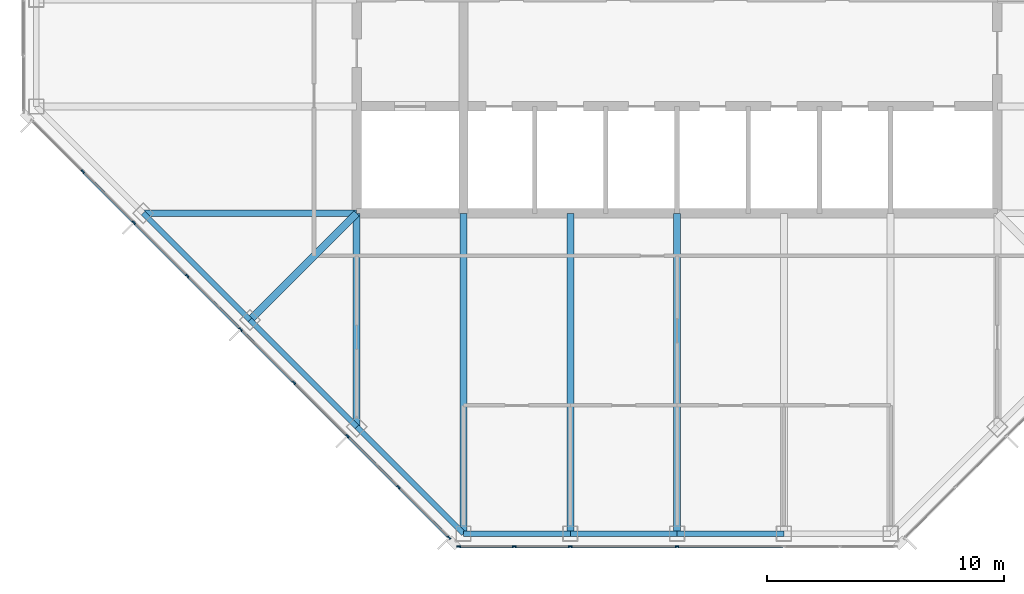
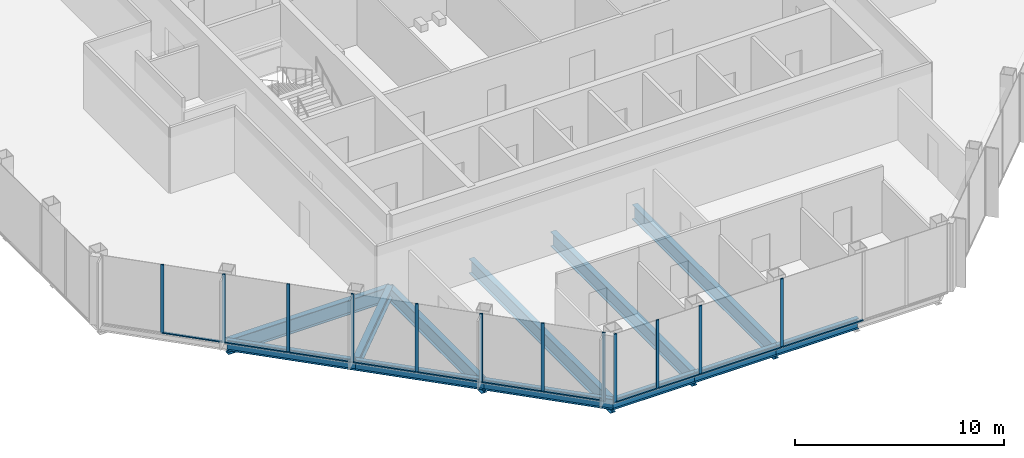
# One storey, part 2 of 14: 23 members, 12 beams, 2 elements without a shape of their own.
"""IFC4 building model written with IfcOpenShell, lengths in metres."""

from ifc_helpers import new_model, si_unit, direction, frame, origin, origin_2d, place, context, subcontext, project, spatial, rectangle, i_section, extrude, material, material_profile, profile_set, type_object, element, aggregate, save


model = new_model("IFC4")

# Units and contexts
model_context = context("Model", 3, precision=1e-05, world=origin(), true_north=direction((0.0, 1.0)))
body_context = subcontext(model_context, "Body", "Model", "MODEL_VIEW")
ifc_project = project(units=[si_unit("LENGTHUNIT", "METRE"), si_unit("AREAUNIT", "SQUARE_METRE"), si_unit("VOLUMEUNIT", "CUBIC_METRE"), si_unit("PLANEANGLEUNIT", "RADIAN"), si_unit("MASSUNIT", "GRAM", prefix="KILO")], contexts=[model_context])

# Site, building, storey
site_placement = place(None, origin())
site = spatial("IfcSite", under=ifc_project, at=site_placement, CompositionType="ELEMENT")
building_placement = place(site_placement, origin())
building = spatial("IfcBuilding", under=site, at=building_placement, Name="Corais Broadcast Tower", CompositionType="ELEMENT")
storey_placement = place(building_placement, frame((0.0, 0.0, 250.60009765625)))
storey = spatial("IfcBuildingStorey", under=building, at=storey_placement, Name="L58", CompositionType="ELEMENT", Elevation=250.60009765625)

# Beams
ifc_material_1 = material(Name="Steel ASTM A572 Grade 50", Category="steel")
ifc_material_profile_1 = material_profile(ifc_material_1, i_section(OverallWidth=0.323974609375, OverallDepth=0.611083984375, WebThickness=0.0126953125, FlangeThickness=0.01904296875, at=origin_2d()), Name="W610x155")
ifc_profile_set_1 = profile_set([ifc_material_profile_1], Name="Steel ASTM A572 Grade 50")
beam_type_1 = type_object("IfcBeamType", Name="Corner diagonal W610x155", PredefinedType="BEAM", material=ifc_profile_set_1)
beam_1_placement = place(storey_placement, frame((9.0, 9.0, -0.465576171875), z_axis=(0.707106781187, 0.707106781187, 0.0), x_axis=(-0.707106781187, 0.707106781187, 0.0)))
element("IfcBeam", 1, at=beam_1_placement, inside=storey, type_object=beam_type_1, Name="B6 C/5 to D/6", PredefinedType="BEAM", context=body_context, shape_type="SweptSolid", body=[
    extrude(i_section(OverallWidth=0.323974609375, OverallDepth=0.611083984375, WebThickness=0.0126953125, FlangeThickness=0.01904296875, at=origin_2d()), origin(), (0.0, 0.0, 1.0), 6.364013671875),
])
ifc_material_2 = material(Name="Steel ASTM A572 Grade 50", Category="steel")
ifc_material_profile_2 = material_profile(ifc_material_2, i_section(OverallWidth=0.2939453125, OverallDepth=0.85107421875, WebThickness=0.01611328125, FlangeThickness=0.02685546875, at=origin_2d()), Name="W840x226")
ifc_profile_set_2 = profile_set([ifc_material_profile_2], Name="Steel ASTM A572 Grade 50")
beam_type_2 = type_object("IfcBeamType", Name="Floor beam W840x226", PredefinedType="BEAM", material=ifc_profile_set_2)
beam_2_placement = place(storey_placement, frame((13.5, 4.5, -0.585693359375), z_axis=(0.0, 1.0, 0.0), x_axis=(-1.0, 0.0, 0.0)))
element("IfcBeam", 2, at=beam_2_placement, inside=storey, type_object=beam_type_2, Name="B1 B/6 to D/6", PredefinedType="BEAM", context=body_context, shape_type="SweptSolid", body=[
    extrude(i_section(OverallWidth=0.2939453125, OverallDepth=0.85107421875, WebThickness=0.01611328125, FlangeThickness=0.02685546875, at=origin_2d()), origin(), (0.0, 0.0, 1.0), 9.0),
])
for number, where, z_axis, x_axis, name in (
    (3, (18.0, 0.0, -0.585693359375), (0.0, 1.0, 0.0), (-1.0, 0.0, 0.0), "B1 A/7 to D/7"),
    (4, (22.5, 0.0, -0.585693359375), (0.0, 1.0, 0.0), (-1.0, 0.0, 0.0), "B1 A/8 to D/8"),
    (5, (27.0, 0.0, -0.585693359375), (0.0, 1.0, 0.0), (-1.0, 0.0, 0.0), "B1 A/9 to D/9"),
):
    element("IfcBeam", number, at=place(storey_placement, frame(where, z_axis=z_axis, x_axis=x_axis)), inside=storey, type_object=beam_type_2, Name=name, PredefinedType="BEAM", context=body_context, shape_type="SweptSolid", body=[
        extrude(i_section(OverallWidth=0.2939453125, OverallDepth=0.85107421875, WebThickness=0.01611328125, FlangeThickness=0.02685546875, at=origin_2d()), origin(), (0.0, 0.0, 1.0), 13.5),
    ])
beam_3_placement = place(storey_placement, frame((4.5, 13.5, -0.585693359375), z_axis=(1.0, 0.0, 0.0), x_axis=(0.0, 1.0, 0.0)))
element("IfcBeam", 6, at=beam_3_placement, inside=storey, type_object=beam_type_2, Name="B1 D/4 to D/6", PredefinedType="BEAM", context=body_context, shape_type="SweptSolid", body=[
    extrude(i_section(OverallWidth=0.2939453125, OverallDepth=0.85107421875, WebThickness=0.01611328125, FlangeThickness=0.02685546875, at=origin_2d()), origin(), (0.0, 0.0, 1.0), 9.0),
])

# Curtain wall, members
ifc_material_3 = material(Name="Aluminium and glass", Category="aluminium")
curtain_wall_type = type_object("IfcCurtainWallType", Name="Unitised fritted curtain wall CW3", PredefinedType="NOTDEFINED", material=ifc_material_3)
curtain_wall_1_placement = place(storey_placement, origin())
curtain_wall_1 = element("IfcCurtainWall", 7, at=curtain_wall_1_placement, inside=storey, type_object=curtain_wall_type, Name="CW3 curtain wall L58 1", PredefinedType="NOTDEFINED")
ifc_material_4 = material(Name="Aluminium 6063-T6", Category="aluminium")
ifc_material_profile_3 = material_profile(ifc_material_4, rectangle(XDim=0.06494140625, YDim=0.159912109375, at=origin_2d()), Name="Mullion CW3 65x160")
ifc_profile_set_3 = profile_set([ifc_material_profile_3], Name="Aluminium 6063-T6")
member_type_1 = type_object("IfcMemberType", Name="Mullion CW3 65x160", PredefinedType="MULLION", material=ifc_profile_set_3)
member_1_placement = place(storey_placement, frame((17.3955078125, -0.17333984375, 0.0), z_axis=(0.0, 0.0, 1.0), x_axis=(-0.707106781187, -0.707106781187, 0.0)))
member_1 = element("IfcMember", 8, at=member_1_placement, type_object=member_type_1, Name="CW3 mullion 1", PredefinedType="MULLION", context=body_context, shape_type="SweptSolid", body=[
    extrude(rectangle(XDim=0.06494140625, YDim=0.159912109375, at=origin_2d()), origin(), (0.0, 0.0, 1.0), 4.0),
])
member_2_placement = place(storey_placement, frame((15.264892578125, 1.957275390625, 0.0), z_axis=(0.0, 0.0, 1.0), x_axis=(-0.707106781187, -0.707106781187, 0.0)))
member_2 = element("IfcMember", 9, at=member_2_placement, type_object=member_type_1, Name="CW3 mullion 2", PredefinedType="MULLION", context=body_context, shape_type="SweptSolid", body=[
    extrude(rectangle(XDim=0.06494140625, YDim=0.159912109375, at=origin_2d()), origin(), (0.0, 0.0, 1.0), 4.0),
])
member_3_placement = place(storey_placement, frame((13.111083984375, 4.111083984375, 0.0), z_axis=(0.0, 0.0, 1.0), x_axis=(-0.707106781187, -0.707106781187, 0.0)))
member_3 = element("IfcMember", 10, at=member_3_placement, type_object=member_type_1, Name="CW3 mullion 3", PredefinedType="MULLION", context=body_context, shape_type="SweptSolid", body=[
    extrude(rectangle(XDim=0.06494140625, YDim=0.159912109375, at=origin_2d()), origin(), (0.0, 0.0, 1.0), 4.0),
])
member_4_placement = place(storey_placement, frame((10.861083984375, 6.361083984375, 0.0), z_axis=(0.0, 0.0, 1.0), x_axis=(-0.707106781187, -0.707106781187, 0.0)))
member_4 = element("IfcMember", 11, at=member_4_placement, type_object=member_type_1, Name="CW3 mullion 4", PredefinedType="MULLION", context=body_context, shape_type="SweptSolid", body=[
    extrude(rectangle(XDim=0.06494140625, YDim=0.159912109375, at=origin_2d()), origin(), (0.0, 0.0, 1.0), 4.0),
])
member_5_placement = place(storey_placement, frame((8.611083984375, 8.611083984375, 0.0), z_axis=(0.0, 0.0, 1.0), x_axis=(-0.707106781187, -0.707106781187, 0.0)))
member_5 = element("IfcMember", 12, at=member_5_placement, type_object=member_type_1, Name="CW3 mullion 5", PredefinedType="MULLION", context=body_context, shape_type="SweptSolid", body=[
    extrude(rectangle(XDim=0.06494140625, YDim=0.159912109375, at=origin_2d()), origin(), (0.0, 0.0, 1.0), 4.0),
])
member_6_placement = place(storey_placement, frame((6.361083984375, 10.861083984375, 0.0), z_axis=(0.0, 0.0, 1.0), x_axis=(-0.707106781187, -0.707106781187, 0.0)))
member_6 = element("IfcMember", 13, at=member_6_placement, type_object=member_type_1, Name="CW3 mullion 6", PredefinedType="MULLION", context=body_context, shape_type="SweptSolid", body=[
    extrude(rectangle(XDim=0.06494140625, YDim=0.159912109375, at=origin_2d()), origin(), (0.0, 0.0, 1.0), 4.0),
])
member_7_placement = place(storey_placement, frame((4.111083984375, 13.111083984375, 0.0), z_axis=(0.0, 0.0, 1.0), x_axis=(-0.707106781187, -0.707106781187, 0.0)))
member_7 = element("IfcMember", 14, at=member_7_placement, type_object=member_type_1, Name="CW3 mullion 7", PredefinedType="MULLION", context=body_context, shape_type="SweptSolid", body=[
    extrude(rectangle(XDim=0.06494140625, YDim=0.159912109375, at=origin_2d()), origin(), (0.0, 0.0, 1.0), 4.0),
])
member_8_placement = place(storey_placement, frame((1.957275390625, 15.264892578125, 0.0), z_axis=(0.0, 0.0, 1.0), x_axis=(-0.707106781187, -0.707106781187, 0.0)))
member_8 = element("IfcMember", 15, at=member_8_placement, type_object=member_type_1, Name="CW3 mullion 8", PredefinedType="MULLION", context=body_context, shape_type="SweptSolid", body=[
    extrude(rectangle(XDim=0.06494140625, YDim=0.159912109375, at=origin_2d()), origin(), (0.0, 0.0, 1.0), 4.0),
])

curtain_wall_2_placement = place(storey_placement, origin())
curtain_wall_2 = element("IfcCurtainWall", 16, at=curtain_wall_2_placement, inside=storey, type_object=curtain_wall_type, Name="CW3 curtain wall L58 8", PredefinedType="NOTDEFINED")
member_9_placement = place(storey_placement, frame((27.0, -0.550048828125, 0.0), z_axis=(0.0, 0.0, 1.0), x_axis=(0.0, -1.0, 0.0)))
member_9 = element("IfcMember", 17, at=member_9_placement, type_object=member_type_1, Name="CW3 mullion 4", PredefinedType="MULLION", context=body_context, shape_type="SweptSolid", body=[
    extrude(rectangle(XDim=0.06494140625, YDim=0.159912109375, at=origin_2d()), origin(), (0.0, 0.0, 1.0), 4.0),
])
member_10_placement = place(storey_placement, frame((22.5, -0.550048828125, 0.0), z_axis=(0.0, 0.0, 1.0), x_axis=(0.0, -1.0, 0.0)))
member_10 = element("IfcMember", 18, at=member_10_placement, type_object=member_type_1, Name="CW3 mullion 5", PredefinedType="MULLION", context=body_context, shape_type="SweptSolid", body=[
    extrude(rectangle(XDim=0.06494140625, YDim=0.159912109375, at=origin_2d()), origin(), (0.0, 0.0, 1.0), 4.0),
])
member_11_placement = place(storey_placement, frame((20.135986328125, -0.550048828125, 0.0), z_axis=(0.0, 0.0, 1.0), x_axis=(0.0, -1.0, 0.0)))
member_11 = element("IfcMember", 19, at=member_11_placement, type_object=member_type_1, Name="CW3 mullion 6", PredefinedType="MULLION", context=body_context, shape_type="SweptSolid", body=[
    extrude(rectangle(XDim=0.06494140625, YDim=0.159912109375, at=origin_2d()), origin(), (0.0, 0.0, 1.0), 4.0),
])
member_12_placement = place(storey_placement, frame((17.8046875, -0.550048828125, 0.0), z_axis=(0.0, 0.0, 1.0), x_axis=(0.0, -1.0, 0.0)))
member_12 = element("IfcMember", 20, at=member_12_placement, type_object=member_type_1, Name="CW3 mullion 7", PredefinedType="MULLION", context=body_context, shape_type="SweptSolid", body=[
    extrude(rectangle(XDim=0.06494140625, YDim=0.159912109375, at=origin_2d()), origin(), (0.0, 0.0, 1.0), 4.0),
])

# Beams
ifc_material_5 = material(Name="Steel ASTM A572 Grade 50", Category="steel")
ifc_material_profile_4 = material_profile(ifc_material_5, i_section(OverallWidth=0.22998046875, OverallDepth=0.616943359375, WebThickness=0.01318359375, FlangeThickness=0.022216796875, at=origin_2d()), Name="W610x140")
ifc_profile_set_4 = profile_set([ifc_material_profile_4], Name="Steel ASTM A572 Grade 50")
beam_type_3 = type_object("IfcBeamType", Name="Spandrel W610x140", PredefinedType="BEAM", material=ifc_profile_set_4)
beam_4_placement = place(storey_placement, frame((13.5, 4.5, -0.468505859375), z_axis=(0.707106781187, -0.707106781187, 0.0), x_axis=(0.707106781187, 0.707106781187, 0.0)))
element("IfcBeam", 21, at=beam_4_placement, inside=storey, type_object=beam_type_3, Name="SB3 B/6 to A/7", PredefinedType="BEAM", context=body_context, shape_type="SweptSolid", body=[
    extrude(i_section(OverallWidth=0.22998046875, OverallDepth=0.616943359375, WebThickness=0.01318359375, FlangeThickness=0.022216796875, at=origin_2d()), origin(), (0.0, 0.0, 1.0), 6.364013671875),
])
for number, where, z_axis, x_axis, name in (
    (22, (18.0, 0.0, -0.468505859375), (1.0, 0.0, 0.0), (0.0, 1.0, 0.0), "SB3 A/7 to A/8"),
    (23, (22.5, 0.0, -0.468505859375), (1.0, 0.0, 0.0), (0.0, 1.0, 0.0), "SB3 A/8 to A/9"),
    (24, (27.0, 0.0, -0.468505859375), (1.0, 0.0, 0.0), (0.0, 1.0, 0.0), "SB3 A/9 to A/10"),
):
    element("IfcBeam", number, at=place(storey_placement, frame(where, z_axis=z_axis, x_axis=x_axis)), inside=storey, type_object=beam_type_3, Name=name, PredefinedType="BEAM", context=body_context, shape_type="SweptSolid", body=[
        extrude(i_section(OverallWidth=0.22998046875, OverallDepth=0.616943359375, WebThickness=0.01318359375, FlangeThickness=0.022216796875, at=origin_2d()), origin(), (0.0, 0.0, 1.0), 4.5),
    ])
for number, where, z_axis, x_axis, name in (
    (25, (4.5, 13.5, -0.468505859375), (0.707106781187, -0.707106781187, 0.0), (0.707106781187, 0.707106781187, 0.0), "SB3 D/4 to C/5"),
    (26, (9.0, 9.0, -0.468505859375), (0.707106781187, -0.707106781187, 0.0), (0.707106781187, 0.707106781187, 0.0), "SB3 C/5 to B/6"),
):
    element("IfcBeam", number, at=place(storey_placement, frame(where, z_axis=z_axis, x_axis=x_axis)), inside=storey, type_object=beam_type_3, Name=name, PredefinedType="BEAM", context=body_context, shape_type="SweptSolid", body=[
        extrude(i_section(OverallWidth=0.22998046875, OverallDepth=0.616943359375, WebThickness=0.01318359375, FlangeThickness=0.022216796875, at=origin_2d()), origin(), (0.0, 0.0, 1.0), 6.364013671875),
    ])

# Member
ifc_material_6 = material(Name="Aluminium 6063-T6", Category="aluminium")
ifc_material_profile_5 = material_profile(ifc_material_6, rectangle(XDim=0.1201171875, YDim=0.06494140625, at=origin_2d()), Name="Transom CW3 65x120")
ifc_profile_set_5 = profile_set([ifc_material_profile_5], Name="Aluminium 6063-T6")
member_type_2 = type_object("IfcMemberType", Name="Transom CW3 65x120", PredefinedType="USERDEFINED", material=ifc_profile_set_5)
member_13_placement = place(storey_placement, frame((17.37255859375, -0.150390625, 0.032470703125), z_axis=(-0.707106781187, 0.707106781187, 0.0), x_axis=(-0.707106781187, -0.707106781187, 0.0)))
member_13 = element("IfcMember", 27, at=member_13_placement, type_object=member_type_2, Name="CW3 transom 1.1", ObjectType="TRANSOM", PredefinedType="USERDEFINED", context=body_context, shape_type="SweptSolid", body=[
    extrude(rectangle(XDim=0.1201171875, YDim=0.06494140625, at=origin_2d()), origin(), (0.0, 0.0, 1.0), 2.9482421875),
])

member_14_placement = place(storey_placement, frame((15.241943359375, 1.980224609375, 0.032470703125), z_axis=(-0.707106781187, 0.707106781187, 0.0), x_axis=(-0.707106781187, -0.707106781187, 0.0)))
member_14 = element("IfcMember", 28, at=member_14_placement, type_object=member_type_2, Name="CW3 transom 2.1", ObjectType="TRANSOM", PredefinedType="USERDEFINED", context=body_context, shape_type="SweptSolid", body=[
    extrude(rectangle(XDim=0.1201171875, YDim=0.06494140625, at=origin_2d()), origin(), (0.0, 0.0, 1.0), 2.98095703125),
])

member_15_placement = place(storey_placement, frame((13.088134765625, 4.134033203125, 0.032470703125), z_axis=(-0.707106781187, 0.707106781187, 0.0), x_axis=(-0.707106781187, -0.707106781187, 0.0)))
member_15 = element("IfcMember", 29, at=member_15_placement, type_object=member_type_2, Name="CW3 transom 3.1", ObjectType="TRANSOM", PredefinedType="USERDEFINED", context=body_context, shape_type="SweptSolid", body=[
    extrude(rectangle(XDim=0.1201171875, YDim=0.06494140625, at=origin_2d()), origin(), (0.0, 0.0, 1.0), 3.1171875),
])

member_16_placement = place(storey_placement, frame((10.838134765625, 6.384033203125, 0.032470703125), z_axis=(-0.707106781187, 0.707106781187, 0.0), x_axis=(-0.707106781187, -0.707106781187, 0.0)))
member_16 = element("IfcMember", 30, at=member_16_placement, type_object=member_type_2, Name="CW3 transom 4.1", ObjectType="TRANSOM", PredefinedType="USERDEFINED", context=body_context, shape_type="SweptSolid", body=[
    extrude(rectangle(XDim=0.1201171875, YDim=0.06494140625, at=origin_2d()), origin(), (0.0, 0.0, 1.0), 3.1171875),
])

member_17_placement = place(storey_placement, frame((8.588134765625, 8.634033203125, 0.032470703125), z_axis=(-0.707106781187, 0.707106781187, 0.0), x_axis=(-0.707106781187, -0.707106781187, 0.0)))
member_17 = element("IfcMember", 31, at=member_17_placement, type_object=member_type_2, Name="CW3 transom 5.1", ObjectType="TRANSOM", PredefinedType="USERDEFINED", context=body_context, shape_type="SweptSolid", body=[
    extrude(rectangle(XDim=0.1201171875, YDim=0.06494140625, at=origin_2d()), origin(), (0.0, 0.0, 1.0), 3.1171875),
])

member_18_placement = place(storey_placement, frame((6.338134765625, 10.884033203125, 0.032470703125), z_axis=(-0.707106781187, 0.707106781187, 0.0), x_axis=(-0.707106781187, -0.707106781187, 0.0)))
member_18 = element("IfcMember", 32, at=member_18_placement, type_object=member_type_2, Name="CW3 transom 6.1", ObjectType="TRANSOM", PredefinedType="USERDEFINED", context=body_context, shape_type="SweptSolid", body=[
    extrude(rectangle(XDim=0.1201171875, YDim=0.06494140625, at=origin_2d()), origin(), (0.0, 0.0, 1.0), 3.1171875),
])

member_19_placement = place(storey_placement, frame((4.088134765625, 13.134033203125, 0.032470703125), z_axis=(-0.707065828661, 0.70714773134, 0.0), x_axis=(-0.70714773134, -0.707065828661, 0.0)))
member_19 = element("IfcMember", 33, at=member_19_placement, type_object=member_type_2, Name="CW3 transom 7.1", ObjectType="TRANSOM", PredefinedType="USERDEFINED", context=body_context, shape_type="SweptSolid", body=[
    extrude(rectangle(XDim=0.1201171875, YDim=0.06494140625, at=origin_2d()), origin(), (0.0, 0.0, 1.0), 2.98095703125),
])

aggregate(curtain_wall_1, [member_1, member_2, member_3, member_4, member_5, member_6, member_7, member_8, member_13, member_14, member_15, member_16, member_17, member_18, member_19])

member_20_placement = place(storey_placement, frame((31.467529296875, -0.550048828125, 0.032470703125), z_axis=(-1.0, 0.0, 0.0), x_axis=(0.0, -1.0, 0.0)))
member_20 = element("IfcMember", 34, at=member_20_placement, type_object=member_type_2, Name="CW3 transom 3.1", ObjectType="TRANSOM", PredefinedType="USERDEFINED", context=body_context, shape_type="SweptSolid", body=[
    extrude(rectangle(XDim=0.1201171875, YDim=0.06494140625, at=origin_2d()), origin(), (0.0, 0.0, 1.0), 4.43505859375),
])

member_21_placement = place(storey_placement, frame((26.967529296875, -0.550048828125, 0.032470703125), z_axis=(-1.0, 0.0, 0.0), x_axis=(0.0, -1.0, 0.0)))
member_21 = element("IfcMember", 35, at=member_21_placement, type_object=member_type_2, Name="CW3 transom 4.1", ObjectType="TRANSOM", PredefinedType="USERDEFINED", context=body_context, shape_type="SweptSolid", body=[
    extrude(rectangle(XDim=0.1201171875, YDim=0.06494140625, at=origin_2d()), origin(), (0.0, 0.0, 1.0), 4.43505859375),
])

member_22_placement = place(storey_placement, frame((22.467529296875, -0.550048828125, 0.032470703125), z_axis=(-1.0, 0.0, 0.0), x_axis=(0.0, -1.0, 0.0)))
member_22 = element("IfcMember", 36, at=member_22_placement, type_object=member_type_2, Name="CW3 transom 5.1", ObjectType="TRANSOM", PredefinedType="USERDEFINED", context=body_context, shape_type="SweptSolid", body=[
    extrude(rectangle(XDim=0.1201171875, YDim=0.06494140625, at=origin_2d()), origin(), (0.0, 0.0, 1.0), 2.298828125),
])

member_23_placement = place(storey_placement, frame((20.103515625, -0.550048828125, 0.032470703125), z_axis=(-1.0, 0.0, 0.0), x_axis=(0.0, -1.0, 0.0)))
member_23 = element("IfcMember", 37, at=member_23_placement, type_object=member_type_2, Name="CW3 transom 6.1", ObjectType="TRANSOM", PredefinedType="USERDEFINED", context=body_context, shape_type="SweptSolid", body=[
    extrude(rectangle(XDim=0.1201171875, YDim=0.06494140625, at=origin_2d()), origin(), (0.0, 0.0, 1.0), 2.266357421875),
])

aggregate(curtain_wall_2, [member_9, member_10, member_11, member_12, member_20, member_21, member_22, member_23])

save(model, "model.ifc")
